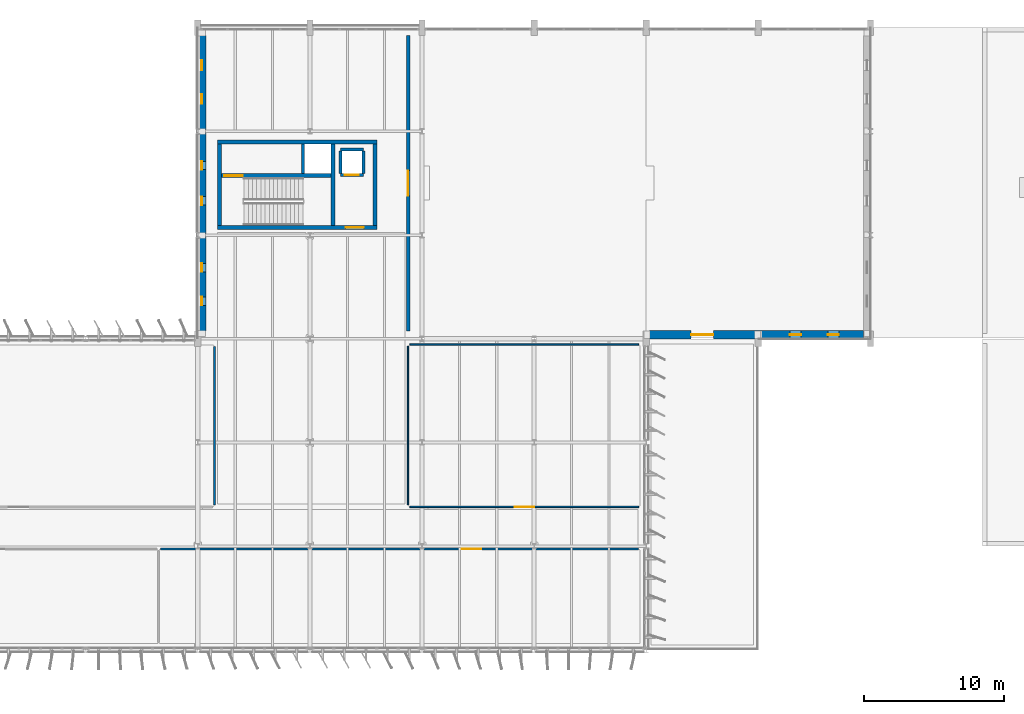
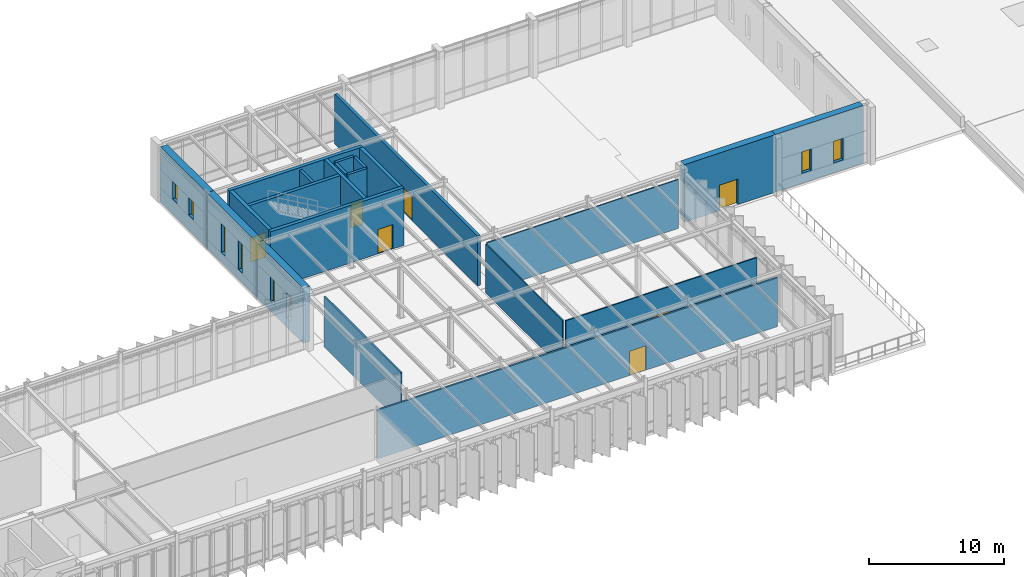
# One storey, part 36 of 48: 22 walls, 8 windows, 7 doors, 15 openings.
"""IFC4 building model written with IfcOpenShell, lengths in metres."""

from ifc_helpers import new_model, si_unit, direction, frame, frame_2d, origin, place, context, subcontext, project, spatial, rectangle, extrude, material, layer, layer_set, type_object, element, fill, save


model = new_model("IFC4")

# Units and contexts
model_context = context("Model", 3, precision=1e-05, world=origin(), true_north=direction((0.0, 1.0)))
body_context = subcontext(model_context, "Body", "Model", "MODEL_VIEW")
ifc_project = project(units=[si_unit("LENGTHUNIT", "METRE"), si_unit("AREAUNIT", "SQUARE_METRE"), si_unit("VOLUMEUNIT", "CUBIC_METRE"), si_unit("PLANEANGLEUNIT", "RADIAN"), si_unit("MASSUNIT", "GRAM", prefix="KILO")], contexts=[model_context])

# Site, building, storey
site_placement = place(None, origin())
site = spatial("IfcSite", under=ifc_project, at=site_placement, CompositionType="ELEMENT")
building_placement = place(site_placement, origin())
building = spatial("IfcBuilding", under=site, at=building_placement, Name="Valkorina Park Police Headquarters", CompositionType="ELEMENT")
storey_placement = place(building_placement, frame((0.0, 0.0, 18.10009765625)))
storey = spatial("IfcBuildingStorey", under=building, at=storey_placement, Name="L05", CompositionType="ELEMENT", Elevation=18.10009765625)

# Wall
ifc_material_1 = material(Name="Acoustic mineral board")
ifc_layer_1 = layer(ifc_material_1, 0.14990234375)
ifc_layer_set_1 = layer_set([ifc_layer_1], Name="Acoustic mineral board")
wall_type_1 = type_object("IfcWallType", Name="WL-ACOUST-150-EI30", PredefinedType="PARTITIONING", material=ifc_layer_set_1)
wall_1_placement = place(storey_placement, frame((82.0, 47.340087890625, 0.0), z_axis=(0.0, 0.0, 1.0), x_axis=(0.0, 1.0, 0.0)))
element("IfcWall", 1, at=wall_1_placement, inside=storey, type_object=wall_type_1, Name="L05 Interior Partition 0238 (L05-CYB-06)", PredefinedType="PARTITIONING", context=body_context, shape_type="SweptSolid", body=[
    extrude(rectangle(XDim=11.31982421875, YDim=0.14990234375, at=frame_2d((5.659912109375, 0.0))), origin(), (0.0, 0.0, 1.0), 4.510009765625),
])

# Wall, opening, door
wall_2_placement = place(storey_placement, frame((78.139892578125, 44.199951171875, 0.0), z_axis=(0.0, 0.0, 1.0), x_axis=(1.0, 0.0, 0.0)))
wall_2 = element("IfcWall", 2, at=wall_2_placement, inside=storey, type_object=wall_type_1, Name="L05 Interior Partition 0239 (L05-CYB-07)", PredefinedType="PARTITIONING", context=body_context, shape_type="SweptSolid", body=[
    extrude(rectangle(XDim=34.1201171875, YDim=0.14990234375, at=frame_2d((17.06005859375, 0.0))), origin(), (0.0, 0.0, 1.0), 4.39990234375),
])
opening_1_placement = place(wall_2_placement, frame((21.47802734375, 0.0, 0.0)))
opening_1 = element("IfcOpeningElement", 3, at=opening_1_placement, cuts=wall_2, Name="Opening ID-07", PredefinedType="OPENING", context=body_context, shape_type="SweptSolid", body=[
    extrude(rectangle(XDim=1.39990234375, YDim=2.199951171875, at=frame_2d((0.699951171875, 1.10009765625))), frame((0.0, 0.0849609375, 0.0), z_axis=(0.0, -1.0, 0.0), x_axis=(1.0, 0.0, 0.0)), (0.0, 0.0, 1.0), 0.169921875),
])
ifc_material_2 = material(Name="Thermally broken aluminium AW-6060", Category="aluminium")
ifc_layer_2 = layer(ifc_material_2, 0.050048828125)
ifc_layer_set_2 = layer_set([ifc_layer_2], Name="Thermally broken aluminium AW-6060")
door_type_1 = type_object("IfcDoorType", Name="DR-INT-CONF-1400x2200", OperationType="NOTDEFINED", PredefinedType="DOOR", material=ifc_layer_set_2)
door_1_placement = place(opening_1_placement, origin())
door_1 = element("IfcDoor", 4, at=door_1_placement, inside=storey, type_object=door_type_1, Name="Door D-L05-I114 (L05-CYB-07)", OperationType="SINGLE_SWING_LEFT", OverallHeight=2.199951171875, OverallWidth=1.39990234375, PredefinedType="DOOR", context=body_context, shape_type="SweptSolid", body=[
    extrude(rectangle(XDim=1.39990234375, YDim=2.199951171875, at=frame_2d((0.699951171875, 1.10009765625))), frame((0.0, 0.02490234375, 0.0), z_axis=(0.0, -1.0, 0.0), x_axis=(1.0, 0.0, 0.0)), (0.0, 0.0, 1.0), 0.050048828125),
])
fill(opening_1, door_1)

ifc_material_3 = material(Name="Autoclaved aerated concrete masonry", Category="masonry")
ifc_layer_3 = layer(ifc_material_3, 0.219970703125)
ifc_layer_set_3 = layer_set([ifc_layer_3], Name="Autoclaved aerated concrete masonry")
wall_type_2 = type_object("IfcWallType", Name="WL-CHASE-220-EI60", PredefinedType="PLUMBINGWALL", material=ifc_layer_set_3)
wall_3_placement = place(storey_placement, frame((90.989990234375, 70.889892578125, 0.0), z_axis=(0.0, 0.0, 1.0), x_axis=(1.0, 0.0, 0.0)))
wall_3 = element("IfcWall", 5, at=wall_3_placement, inside=storey, type_object=wall_type_2, Name="Lift LF-08 L05 Shaft Front Wall", PredefinedType="PLUMBINGWALL", context=body_context, shape_type="SweptSolid", body=[
    extrude(rectangle(XDim=1.6201171875, YDim=0.219970703125, at=frame_2d((0.81005859375, 0.0))), origin(), (0.0, 0.0, 1.0), 4.97998046875),
])
opening_2_placement = place(wall_3_placement, frame((0.31005859375, 0.0, 0.0)))
opening_2 = element("IfcOpeningElement", 6, at=opening_2_placement, cuts=wall_3, Name="Opening LD-02", PredefinedType="OPENING", context=body_context, shape_type="SweptSolid", body=[
    extrude(rectangle(XDim=1.0, YDim=2.199951171875, at=frame_2d((0.5, 1.10009765625))), frame((0.0, 0.1201171875, 0.0), z_axis=(0.0, -1.0, 0.0), x_axis=(1.0, 0.0, 0.0)), (0.0, 0.0, 1.0), 0.239990234375),
])
ifc_material_4 = material(Name="Stainless steel EN 1.4404", Category="steel")
ifc_layer_4 = layer(ifc_material_4, 0.050048828125)
ifc_layer_set_4 = layer_set([ifc_layer_4], Name="Stainless steel EN 1.4404")
door_type_2 = type_object("IfcDoorType", Name="DR-LIFT-PAX-1000x2200", OperationType="NOTDEFINED", PredefinedType="DOOR", material=ifc_layer_set_4)
door_2_placement = place(opening_2_placement, origin())
door_2 = element("IfcDoor", 7, at=door_2_placement, inside=storey, type_object=door_type_2, Name="Lift Landing Door LF-08-L05", OperationType="DOUBLE_DOOR_SLIDING", OverallHeight=2.199951171875, OverallWidth=1.0, PredefinedType="DOOR", context=body_context, shape_type="SweptSolid", body=[
    extrude(rectangle(XDim=1.0, YDim=2.199951171875, at=frame_2d((0.5, 1.10009765625))), frame((0.0, 0.02490234375, 0.0), z_axis=(0.0, -1.0, 0.0), x_axis=(1.0, 0.0, 0.0)), (0.0, 0.0, 1.0), 0.050048828125),
])
fill(opening_2, door_2)

# Walls
wall_4_placement = place(storey_placement, frame((90.989990234375, 72.7099609375, 0.0), z_axis=(0.0, 0.0, 1.0), x_axis=(1.0, 0.0, 0.0)))
element("IfcWall", 8, at=wall_4_placement, inside=storey, type_object=wall_type_2, Name="Lift LF-08 L05 Shaft Back Wall", PredefinedType="PLUMBINGWALL", context=body_context, shape_type="SweptSolid", body=[
    extrude(rectangle(XDim=1.6201171875, YDim=0.219970703125, at=frame_2d((0.81005859375, 0.0))), origin(), (0.0, 0.0, 1.0), 4.97998046875),
])
for number, where, z_axis, x_axis, name in (
    (9, (90.989990234375, 71.0, 0.0), (0.0, 0.0, 1.0), (0.0, 1.0, 0.0), "Lift LF-08 L05 Shaft Side Wall W"),
    (10, (92.610107421875, 71.0, 0.0), (0.0, 0.0, 1.0), (0.0, 1.0, 0.0), "Lift LF-08 L05 Shaft Side Wall E"),
):
    element("IfcWall", number, at=place(storey_placement, frame(where, z_axis=z_axis, x_axis=x_axis)), inside=storey, type_object=wall_type_2, Name=name, PredefinedType="PLUMBINGWALL", context=body_context, shape_type="SweptSolid", body=[
        extrude(rectangle(XDim=1.60009765625, YDim=0.219970703125, at=frame_2d((0.800048828125, 0.0))), origin(), (0.0, 0.0, 1.0), 4.97998046875),
    ])
wall_5_placement = place(storey_placement, frame((88.2900390625, 70.97998046875, 0.0), z_axis=(0.0, 0.0, 1.0), x_axis=(0.0, 1.0, 0.0)))
element("IfcWall", 11, at=wall_5_placement, inside=storey, type_object=wall_type_2, Name="Core C6 L05 Riser Shaft West Wall", PredefinedType="PLUMBINGWALL", context=body_context, shape_type="SweptSolid", body=[
    extrude(rectangle(XDim=2.1201171875, YDim=0.219970703125, at=frame_2d((1.06005859375, 0.0))), origin(), (0.0, 0.0, 1.0), 4.97998046875),
])

# Wall, opening, door
ifc_material_5 = material(Name="Concrete C40/50", Category="concrete")
ifc_layer_5 = layer(ifc_material_5, 0.300048828125)
ifc_layer_set_5 = layer_set([ifc_layer_5], Name="Concrete C40/50")
wall_type_3 = type_object("IfcWallType", Name="WL-CORE-300-REI120", PredefinedType="SHEAR", material=ifc_layer_set_5)
wall_6_placement = place(storey_placement, frame((82.199951171875, 67.14990234375, 0.0), z_axis=(0.0, 0.0, 1.0), x_axis=(1.0, 0.0, 0.0)))
wall_6 = element("IfcWall", 12, at=wall_6_placement, inside=storey, type_object=wall_type_3, Name="Core C6 L05 Shear Wall S", PredefinedType="SHEAR", context=body_context, shape_type="SweptSolid", body=[
    extrude(rectangle(XDim=11.400146484375, YDim=0.300048828125, at=frame_2d((5.7001953125, 0.0))), origin(), (0.0, 0.0, 1.0), 5.19482421875),
])
opening_3_placement = place(wall_6_placement, frame((9.14990234375, 0.0, 0.0)))
opening_3 = element("IfcOpeningElement", 13, at=opening_3_placement, cuts=wall_6, Name="Opening FD-03", PredefinedType="OPENING", context=body_context, shape_type="SweptSolid", body=[
    extrude(rectangle(XDim=1.300048828125, YDim=2.199951171875, at=frame_2d((0.64990234375, 1.10009765625))), frame((0.0, 0.16015625, 0.0), z_axis=(0.0, -1.0, 0.0), x_axis=(1.0, 0.0, 0.0)), (0.0, 0.0, 1.0), 0.320068359375),
])
ifc_material_6 = material(Name="Galvanized steel door leaf", Category="steel")
ifc_layer_6 = layer(ifc_material_6, 0.050048828125)
ifc_layer_set_6 = layer_set([ifc_layer_6], Name="Galvanized steel door leaf")
door_type_3 = type_object("IfcDoorType", Name="DR-FIRE-STAIR-1300x2200", OperationType="NOTDEFINED", PredefinedType="DOOR", material=ifc_layer_set_6)
door_3_placement = place(opening_3_placement, origin())
door_3 = element("IfcDoor", 14, at=door_3_placement, inside=storey, type_object=door_type_3, Name="Door D-L05-LBY-C6 (Core C6 Lobby Fire Door)", OperationType="SINGLE_SWING_LEFT", OverallHeight=2.199951171875, OverallWidth=1.300048828125, PredefinedType="DOOR", context=body_context, shape_type="SweptSolid", body=[
    extrude(rectangle(XDim=1.300048828125, YDim=2.199951171875, at=frame_2d((0.64990234375, 1.10009765625))), frame((0.0, 0.02490234375, 0.0), z_axis=(0.0, -1.0, 0.0), x_axis=(1.0, 0.0, 0.0)), (0.0, 0.0, 1.0), 0.050048828125),
])
fill(opening_3, door_3)

# Walls
wall_7_placement = place(storey_placement, frame((82.199951171875, 73.25, 0.0), z_axis=(0.0, 0.0, 1.0), x_axis=(1.0, 0.0, 0.0)))
element("IfcWall", 15, at=wall_7_placement, inside=storey, type_object=wall_type_3, Name="Core C6 L05 Shear Wall N", PredefinedType="SHEAR", context=body_context, shape_type="SweptSolid", body=[
    extrude(rectangle(XDim=11.400146484375, YDim=0.300048828125, at=frame_2d((5.7001953125, 0.0))), origin(), (0.0, 0.0, 1.0), 5.19482421875),
])
for number, where, z_axis, x_axis, name in (
    (16, (82.35009765625, 67.300048828125, 0.0), (0.0, 0.0, 1.0), (0.0, 1.0, 0.0), "Core C6 L05 Shear Wall W"),
    (17, (93.449951171875, 67.300048828125, 0.0), (0.0, 0.0, 1.0), (0.0, 1.0, 0.0), "Core C6 L05 Shear Wall E"),
):
    element("IfcWall", number, at=place(storey_placement, frame(where, z_axis=z_axis, x_axis=x_axis)), inside=storey, type_object=wall_type_3, Name=name, PredefinedType="SHEAR", context=body_context, shape_type="SweptSolid", body=[
        extrude(rectangle(XDim=5.800048828125, YDim=0.300048828125, at=frame_2d((2.89990234375, 0.0))), origin(), (0.0, 0.0, 1.0), 5.19482421875),
    ])

# Wall, opening, door
ifc_layer_7 = layer(ifc_material_5, 0.25)
ifc_layer_set_7 = layer_set([ifc_layer_7], Name="Concrete C40/50")
wall_type_4 = type_object("IfcWallType", Name="WL-CUST-250-REI120", PredefinedType="SOLIDWALL", material=ifc_layer_set_7)
wall_8_placement = place(storey_placement, frame((95.800048828125, 59.739990234375, 0.0), z_axis=(0.0, 0.0, 1.0), x_axis=(0.0, 1.0, 0.0)))
wall_8 = element("IfcWall", 18, at=wall_8_placement, inside=storey, type_object=wall_type_4, Name="L05 Interior Partition 0224 (L05-CMD-HALL)", PredefinedType="SOLIDWALL", context=body_context, shape_type="SweptSolid", body=[
    extrude(rectangle(XDim=21.1201171875, YDim=0.25, at=frame_2d((10.56005859375, 0.0))), origin(), (0.0, 0.0, 1.0), 4.510009765625),
])
opening_4_placement = place(wall_8_placement, frame((9.659912109375, 0.0, 0.0)))
opening_4 = element("IfcOpeningElement", 19, at=opening_4_placement, cuts=wall_8, Name="Opening FD-05", PredefinedType="OPENING", context=body_context, shape_type="SweptSolid", body=[
    extrude(rectangle(XDim=1.800048828125, YDim=2.199951171875, at=frame_2d((0.89990234375, 1.10009765625))), frame((0.0, 0.135009765625, 0.0), z_axis=(0.0, -1.0, 0.0), x_axis=(1.0, 0.0, 0.0)), (0.0, 0.0, 1.0), 0.27001953125),
])
ifc_layer_8 = layer(ifc_material_6, 0.050048828125)
ifc_layer_set_8 = layer_set([ifc_layer_8], Name="Galvanized steel door leaf")
door_type_4 = type_object("IfcDoorType", Name="DR-FIRE-CORR-1800x2200", OperationType="NOTDEFINED", PredefinedType="DOOR", material=ifc_layer_set_8)
door_4_placement = place(opening_4_placement, origin())
door_4 = element("IfcDoor", 20, at=door_4_placement, inside=storey, type_object=door_type_4, Name="Door D-L05-I105 (L05-CMD-HALL)", OperationType="DOUBLE_DOOR_SINGLE_SWING", OverallHeight=2.199951171875, OverallWidth=1.800048828125, PredefinedType="DOOR", context=body_context, shape_type="SweptSolid", body=[
    extrude(rectangle(XDim=1.800048828125, YDim=2.199951171875, at=frame_2d((0.89990234375, 1.10009765625))), frame((0.0, 0.02490234375, 0.0), z_axis=(0.0, -1.0, 0.0), x_axis=(1.0, 0.0, 0.0)), (0.0, 0.0, 1.0), 0.050048828125),
])
fill(opening_4, door_4)

# Wall, openings, windows
ifc_material_7 = material(Name="Concrete C35/45", Category="concrete")
ifc_layer_9 = layer(ifc_material_7, 0.580078125)
ifc_layer_set_9 = layer_set([ifc_layer_9], Name="Concrete C35/45")
wall_type_5 = type_object("IfcWallType", Name="WL-EXT-BOARD-580", PredefinedType="STANDARD", material=ifc_layer_set_9)
wall_9_placement = place(storey_placement, frame((81.090087890625, 59.760009765625, 0.0), z_axis=(0.0, 0.0, 1.0), x_axis=(0.0, 1.0, 0.0)))
wall_9 = element("IfcWall", 21, at=wall_9_placement, inside=storey, type_object=wall_type_5, Name="L05 Architectural Concrete Exterior Wall 0260", PredefinedType="STANDARD", context=body_context, shape_type="SweptSolid", body=[
    extrude(rectangle(XDim=6.840087890625, YDim=0.580078125, at=frame_2d((3.419921875, 0.0))), origin(), (0.0, 0.0, 1.0), 4.97998046875),
])
opening_5_placement = place(wall_9_placement, frame((1.827880859375, 0.0, 0.89990234375)))
opening_5 = element("IfcOpeningElement", 22, at=opening_5_placement, cuts=wall_9, Name="Opening WN-05", PredefinedType="OPENING", context=body_context, shape_type="SweptSolid", body=[
    extrude(rectangle(XDim=0.60009765625, YDim=2.199951171875, at=frame_2d((0.300048828125, 1.10009765625))), frame((0.0, 0.300048828125, 0.0), z_axis=(0.0, -1.0, 0.0), x_axis=(1.0, 0.0, 0.0)), (0.0, 0.0, 1.0), 0.60009765625),
])
opening_6_placement = place(wall_9_placement, frame((4.221923828125, 0.0, 0.89990234375)))
opening_6 = element("IfcOpeningElement", 23, at=opening_6_placement, cuts=wall_9, Name="Opening WN-05", PredefinedType="OPENING", context=body_context, shape_type="SweptSolid", body=[
    extrude(rectangle(XDim=0.60009765625, YDim=2.199951171875, at=frame_2d((0.300048828125, 1.10009765625))), frame((0.0, 0.300048828125, 0.0), z_axis=(0.0, -1.0, 0.0), x_axis=(1.0, 0.0, 0.0)), (0.0, 0.0, 1.0), 0.60009765625),
])
ifc_material_8 = material(Name="Triple low-E insulated glazing", Category="glass")
ifc_layer_10 = layer(ifc_material_8, 0.06005859375)
ifc_layer_set_10 = layer_set([ifc_layer_10], Name="Triple low-E insulated glazing")
window_type_1 = type_object("IfcWindowType", Name="WN-SLOT-600x2200", PartitioningType="SINGLE_PANEL", PredefinedType="WINDOW", material=ifc_layer_set_10)
window_1_placement = place(opening_5_placement, origin())
window_1 = element("IfcWindow", 24, at=window_1_placement, inside=storey, type_object=window_type_1, Name="Window L05-0440", OverallHeight=2.199951171875, OverallWidth=0.60009765625, PartitioningType="SINGLE_PANEL", PredefinedType="WINDOW", context=body_context, shape_type="SweptSolid", body=[
    extrude(rectangle(XDim=0.60009765625, YDim=2.199951171875, at=frame_2d((0.300048828125, 1.10009765625))), frame((0.0, 0.030029296875, 0.0), z_axis=(0.0, -1.0, 0.0), x_axis=(1.0, 0.0, 0.0)), (0.0, 0.0, 1.0), 0.06005859375),
])
fill(opening_5, window_1)
window_2_placement = place(opening_6_placement, origin())
window_2 = element("IfcWindow", 25, at=window_2_placement, inside=storey, type_object=window_type_1, Name="Window L05-0441", OverallHeight=2.199951171875, OverallWidth=0.60009765625, PartitioningType="SINGLE_PANEL", PredefinedType="WINDOW", context=body_context, shape_type="SweptSolid", body=[
    extrude(rectangle(XDim=0.60009765625, YDim=2.199951171875, at=frame_2d((0.300048828125, 1.10009765625))), frame((0.0, 0.030029296875, 0.0), z_axis=(0.0, -1.0, 0.0), x_axis=(1.0, 0.0, 0.0)), (0.0, 0.0, 1.0), 0.06005859375),
])
fill(opening_6, window_2)

wall_10_placement = place(storey_placement, frame((81.090087890625, 66.60009765625, 0.0), z_axis=(0.0, 0.0, 1.0), x_axis=(0.0, 1.0, 0.0)))
wall_10 = element("IfcWall", 26, at=wall_10_placement, inside=storey, type_object=wall_type_5, Name="L05 Architectural Concrete Exterior Wall 0261", PredefinedType="STANDARD", context=body_context, shape_type="SweptSolid", body=[
    extrude(rectangle(XDim=7.39990234375, YDim=0.580078125, at=frame_2d((3.699951171875, 0.0))), origin(), (0.0, 0.0, 1.0), 4.97998046875),
])
opening_7_placement = place(wall_10_placement, frame((2.136474609375, 0.0, 0.89990234375)))
opening_7 = element("IfcOpeningElement", 27, at=opening_7_placement, cuts=wall_10, Name="Opening WN-06", PredefinedType="OPENING", context=body_context, shape_type="SweptSolid", body=[
    extrude(rectangle(XDim=0.60009765625, YDim=2.60009765625, at=frame_2d((0.300048828125, 1.300048828125))), frame((0.0, 0.300048828125, 0.0), z_axis=(0.0, -1.0, 0.0), x_axis=(1.0, 0.0, 0.0)), (0.0, 0.0, 1.0), 0.60009765625),
])
opening_8_placement = place(wall_10_placement, frame((4.66357421875, 0.0, 0.89990234375)))
opening_8 = element("IfcOpeningElement", 28, at=opening_8_placement, cuts=wall_10, Name="Opening WN-06", PredefinedType="OPENING", context=body_context, shape_type="SweptSolid", body=[
    extrude(rectangle(XDim=0.60009765625, YDim=2.60009765625, at=frame_2d((0.300048828125, 1.300048828125))), frame((0.0, 0.300048828125, 0.0), z_axis=(0.0, -1.0, 0.0), x_axis=(1.0, 0.0, 0.0)), (0.0, 0.0, 1.0), 0.60009765625),
])
ifc_layer_11 = layer(ifc_material_8, 0.06005859375)
ifc_layer_set_11 = layer_set([ifc_layer_11], Name="Triple low-E insulated glazing")
window_type_2 = type_object("IfcWindowType", Name="WN-SLOT-600x2600", PartitioningType="SINGLE_PANEL", PredefinedType="WINDOW", material=ifc_layer_set_11)
window_3_placement = place(opening_7_placement, origin())
window_3 = element("IfcWindow", 29, at=window_3_placement, inside=storey, type_object=window_type_2, Name="Window L05-0442", OverallHeight=2.60009765625, OverallWidth=0.60009765625, PartitioningType="SINGLE_PANEL", PredefinedType="WINDOW", context=body_context, shape_type="SweptSolid", body=[
    extrude(rectangle(XDim=0.60009765625, YDim=2.60009765625, at=frame_2d((0.300048828125, 1.300048828125))), frame((0.0, 0.030029296875, 0.0), z_axis=(0.0, -1.0, 0.0), x_axis=(1.0, 0.0, 0.0)), (0.0, 0.0, 1.0), 0.06005859375),
])
fill(opening_7, window_3)
window_4_placement = place(opening_8_placement, origin())
window_4 = element("IfcWindow", 30, at=window_4_placement, inside=storey, type_object=window_type_2, Name="Window L05-0443", OverallHeight=2.60009765625, OverallWidth=0.60009765625, PartitioningType="SINGLE_PANEL", PredefinedType="WINDOW", context=body_context, shape_type="SweptSolid", body=[
    extrude(rectangle(XDim=0.60009765625, YDim=2.60009765625, at=frame_2d((0.300048828125, 1.300048828125))), frame((0.0, 0.030029296875, 0.0), z_axis=(0.0, -1.0, 0.0), x_axis=(1.0, 0.0, 0.0)), (0.0, 0.0, 1.0), 0.06005859375),
])
fill(opening_8, window_4)

wall_11_placement = place(storey_placement, frame((81.090087890625, 74.0, 0.0), z_axis=(0.0, 0.0, 1.0), x_axis=(0.0, 1.0, 0.0)))
wall_11 = element("IfcWall", 31, at=wall_11_placement, inside=storey, type_object=wall_type_5, Name="L05 Architectural Concrete Exterior Wall 0262", PredefinedType="STANDARD", context=body_context, shape_type="SweptSolid", body=[
    extrude(rectangle(XDim=6.840087890625, YDim=0.580078125, at=frame_2d((3.419921875, 0.0))), origin(), (0.0, 0.0, 1.0), 4.97998046875),
])
opening_9_placement = place(wall_11_placement, frame((1.968017578125, 0.0, 1.35009765625)))
opening_9 = element("IfcOpeningElement", 32, at=opening_9_placement, cuts=wall_11, Name="Opening WN-07", PredefinedType="OPENING", context=body_context, shape_type="SweptSolid", body=[
    extrude(rectangle(XDim=0.699951171875, YDim=1.60009765625, at=frame_2d((0.35009765625, 0.800048828125))), frame((0.0, 0.300048828125, 0.0), z_axis=(0.0, -1.0, 0.0), x_axis=(1.0, 0.0, 0.0)), (0.0, 0.0, 1.0), 0.60009765625),
])
opening_10_placement = place(wall_11_placement, frame((4.362060546875, 0.0, 1.35009765625)))
opening_10 = element("IfcOpeningElement", 33, at=opening_10_placement, cuts=wall_11, Name="Opening WN-07", PredefinedType="OPENING", context=body_context, shape_type="SweptSolid", body=[
    extrude(rectangle(XDim=0.699951171875, YDim=1.60009765625, at=frame_2d((0.35009765625, 0.800048828125))), frame((0.0, 0.300048828125, 0.0), z_axis=(0.0, -1.0, 0.0), x_axis=(1.0, 0.0, 0.0)), (0.0, 0.0, 1.0), 0.60009765625),
])
ifc_layer_12 = layer(ifc_material_8, 0.06005859375)
ifc_layer_set_12 = layer_set([ifc_layer_12], Name="Triple low-E insulated glazing")
window_type_3 = type_object("IfcWindowType", Name="WN-SLOT-700x1600", PartitioningType="SINGLE_PANEL", PredefinedType="WINDOW", material=ifc_layer_set_12)
window_5_placement = place(opening_9_placement, origin())
window_5 = element("IfcWindow", 34, at=window_5_placement, inside=storey, type_object=window_type_3, Name="Window L05-0444", OverallHeight=1.60009765625, OverallWidth=0.699951171875, PartitioningType="SINGLE_PANEL", PredefinedType="WINDOW", context=body_context, shape_type="SweptSolid", body=[
    extrude(rectangle(XDim=0.699951171875, YDim=1.60009765625, at=frame_2d((0.35009765625, 0.800048828125))), frame((0.0, 0.030029296875, 0.0), z_axis=(0.0, -1.0, 0.0), x_axis=(1.0, 0.0, 0.0)), (0.0, 0.0, 1.0), 0.06005859375),
])
fill(opening_9, window_5)
window_6_placement = place(opening_10_placement, origin())
window_6 = element("IfcWindow", 35, at=window_6_placement, inside=storey, type_object=window_type_3, Name="Window L05-0445", OverallHeight=1.60009765625, OverallWidth=0.699951171875, PartitioningType="SINGLE_PANEL", PredefinedType="WINDOW", context=body_context, shape_type="SweptSolid", body=[
    extrude(rectangle(XDim=0.699951171875, YDim=1.60009765625, at=frame_2d((0.35009765625, 0.800048828125))), frame((0.0, 0.030029296875, 0.0), z_axis=(0.0, -1.0, 0.0), x_axis=(1.0, 0.0, 0.0)), (0.0, 0.0, 1.0), 0.06005859375),
])
fill(opening_10, window_6)

wall_12_placement = place(storey_placement, frame((128.300048828125, 59.489990234375, 0.0), z_axis=(0.0, 0.0, 1.0), x_axis=(-1.0, 0.0, 0.0)))
wall_12 = element("IfcWall", 36, at=wall_12_placement, inside=storey, type_object=wall_type_5, Name="L05 Architectural Concrete Exterior Wall 0266", PredefinedType="STANDARD", context=body_context, shape_type="SweptSolid", body=[
    extrude(rectangle(XDim=7.5, YDim=0.580078125, at=frame_2d((3.75, 0.0))), origin(), (0.0, 0.0, 1.0), 5.199951171875),
])
opening_11_placement = place(wall_12_placement, frame((1.74462890625, 0.0, 0.89990234375)))
opening_11 = element("IfcOpeningElement", 37, at=opening_11_placement, cuts=wall_12, Name="Opening WN-11", PredefinedType="OPENING", context=body_context, shape_type="SweptSolid", body=[
    extrude(rectangle(XDim=0.800048828125, YDim=1.949951171875, at=frame_2d((0.39990234375, 0.97509765625))), frame((0.0, 0.300048828125, 0.0), z_axis=(0.0, -1.0, 0.0), x_axis=(1.0, 0.0, 0.0)), (0.0, 0.0, 1.0), 0.60009765625),
])
opening_12_placement = place(wall_12_placement, frame((4.455322265625, 0.0, 0.89990234375)))
opening_12 = element("IfcOpeningElement", 38, at=opening_12_placement, cuts=wall_12, Name="Opening WN-11", PredefinedType="OPENING", context=body_context, shape_type="SweptSolid", body=[
    extrude(rectangle(XDim=0.800048828125, YDim=1.949951171875, at=frame_2d((0.39990234375, 0.97509765625))), frame((0.0, 0.300048828125, 0.0), z_axis=(0.0, -1.0, 0.0), x_axis=(1.0, 0.0, 0.0)), (0.0, 0.0, 1.0), 0.60009765625),
])
ifc_layer_13 = layer(ifc_material_8, 0.06005859375)
ifc_layer_set_13 = layer_set([ifc_layer_13], Name="Triple low-E insulated glazing")
window_type_4 = type_object("IfcWindowType", Name="WN-SLOT-800x1950", PartitioningType="SINGLE_PANEL", PredefinedType="WINDOW", material=ifc_layer_set_13)
window_7_placement = place(opening_11_placement, origin())
window_7 = element("IfcWindow", 39, at=window_7_placement, inside=storey, type_object=window_type_4, Name="Window L05-0452", OverallHeight=1.949951171875, OverallWidth=0.800048828125, PartitioningType="SINGLE_PANEL", PredefinedType="WINDOW", context=body_context, shape_type="SweptSolid", body=[
    extrude(rectangle(XDim=0.800048828125, YDim=1.949951171875, at=frame_2d((0.39990234375, 0.97509765625))), frame((0.0, 0.030029296875, 0.0), z_axis=(0.0, -1.0, 0.0), x_axis=(1.0, 0.0, 0.0)), (0.0, 0.0, 1.0), 0.06005859375),
])
fill(opening_11, window_7)
window_8_placement = place(opening_12_placement, origin())
window_8 = element("IfcWindow", 40, at=window_8_placement, inside=storey, type_object=window_type_4, Name="Window L05-0453", OverallHeight=1.949951171875, OverallWidth=0.800048828125, PartitioningType="SINGLE_PANEL", PredefinedType="WINDOW", context=body_context, shape_type="SweptSolid", body=[
    extrude(rectangle(XDim=0.800048828125, YDim=1.949951171875, at=frame_2d((0.39990234375, 0.97509765625))), frame((0.0, 0.030029296875, 0.0), z_axis=(0.0, -1.0, 0.0), x_axis=(1.0, 0.0, 0.0)), (0.0, 0.0, 1.0), 0.06005859375),
])
fill(opening_12, window_8)

# Wall, opening, door
wall_13_placement = place(storey_placement, frame((120.800048828125, 59.489990234375, 0.0), z_axis=(0.0, 0.0, 1.0), x_axis=(-1.0, 0.0, 0.0)))
wall_13 = element("IfcWall", 41, at=wall_13_placement, inside=storey, type_object=wall_type_5, Name="L05 Architectural Concrete Exterior Wall 0267", PredefinedType="STANDARD", context=body_context, shape_type="SweptSolid", body=[
    extrude(rectangle(XDim=7.76513671875, YDim=0.580078125, at=frame_2d((3.882568359375, 0.0))), origin(), (0.0, 0.0, 1.0), 5.199951171875),
])
opening_13_placement = place(wall_13_placement, frame((3.199951171875, 0.0, 0.0)))
opening_13 = element("IfcOpeningElement", 42, at=opening_13_placement, cuts=wall_13, Name="Opening ED-05", PredefinedType="OPENING", context=body_context, shape_type="SweptSolid", body=[
    extrude(rectangle(XDim=1.60009765625, YDim=2.300048828125, at=frame_2d((0.800048828125, 1.14990234375))), frame((0.0, 0.300048828125, 0.0), z_axis=(0.0, -1.0, 0.0), x_axis=(1.0, 0.0, 0.0)), (0.0, 0.0, 1.0), 0.60009765625),
])
ifc_layer_14 = layer(ifc_material_2, 0.050048828125)
ifc_layer_set_14 = layer_set([ifc_layer_14], Name="Thermally broken aluminium AW-6060")
door_type_5 = type_object("IfcDoorType", Name="DR-EXT-TERR-1600x2300", OperationType="NOTDEFINED", PredefinedType="DOOR", material=ifc_layer_set_14)
door_5_placement = place(opening_13_placement, origin())
door_5 = element("IfcDoor", 43, at=door_5_placement, inside=storey, type_object=door_type_5, Name="Door D-L05-022 (TERR-L05-EAST Terrace Door)", OperationType="DOUBLE_DOOR_SINGLE_SWING", OverallHeight=2.300048828125, OverallWidth=1.60009765625, PredefinedType="DOOR", context=body_context, shape_type="SweptSolid", body=[
    extrude(rectangle(XDim=1.60009765625, YDim=2.300048828125, at=frame_2d((0.800048828125, 1.14990234375))), frame((0.0, 0.02490234375, 0.0), z_axis=(0.0, -1.0, 0.0), x_axis=(1.0, 0.0, 0.0)), (0.0, 0.0, 1.0), 0.050048828125),
])
fill(opening_13, door_5)

ifc_material_9 = material(Name="Gypsum plasterboard")
ifc_layer_15 = layer(ifc_material_9, 0.10009765625)
ifc_layer_set_15 = layer_set([ifc_layer_15], Name="Gypsum plasterboard")
wall_type_6 = type_object("IfcWallType", Name="WL-PART-100", PredefinedType="PARTITIONING", material=ifc_layer_set_15)
wall_14_placement = place(storey_placement, frame((95.93994140625, 47.199951171875, 0.0), z_axis=(0.0, 0.0, 1.0), x_axis=(1.0, 0.0, 0.0)))
wall_14 = element("IfcWall", 44, at=wall_14_placement, inside=storey, type_object=wall_type_6, Name="L05 Interior Partition 0240 (L05-CYB-08)", PredefinedType="PARTITIONING", context=body_context, shape_type="SweptSolid", body=[
    extrude(rectangle(XDim=16.320068359375, YDim=0.10009765625, at=frame_2d((8.16015625, 0.0))), origin(), (0.0, 0.0, 1.0), 4.39990234375),
])
opening_14_placement = place(wall_14_placement, frame((7.4599609375, 0.0, 0.0)))
opening_14 = element("IfcOpeningElement", 45, at=opening_14_placement, cuts=wall_14, Name="Opening ID-07", PredefinedType="OPENING", context=body_context, shape_type="SweptSolid", body=[
    extrude(rectangle(XDim=1.39990234375, YDim=2.199951171875, at=frame_2d((0.699951171875, 1.10009765625))), frame((0.0, 0.06005859375, 0.0), z_axis=(0.0, -1.0, 0.0), x_axis=(1.0, 0.0, 0.0)), (0.0, 0.0, 1.0), 0.1201171875),
])
door_6_placement = place(opening_14_placement, origin())
door_6 = element("IfcDoor", 46, at=door_6_placement, inside=storey, type_object=door_type_1, Name="Door D-L05-I115 (L05-CYB-08)", OperationType="SINGLE_SWING_RIGHT", OverallHeight=2.199951171875, OverallWidth=1.39990234375, PredefinedType="DOOR", context=body_context, shape_type="SweptSolid", body=[
    extrude(rectangle(XDim=1.39990234375, YDim=2.199951171875, at=frame_2d((0.699951171875, 1.10009765625))), frame((0.0, 0.02490234375, 0.0), z_axis=(0.0, -1.0, 0.0), x_axis=(1.0, 0.0, 0.0)), (0.0, 0.0, 1.0), 0.050048828125),
])
fill(opening_14, door_6)

# Walls
wall_15_placement = place(storey_placement, frame((95.93994140625, 58.800048828125, 0.0), z_axis=(0.0, 0.0, 1.0), x_axis=(1.0, 0.0, 0.0)))
element("IfcWall", 47, at=wall_15_placement, inside=storey, type_object=wall_type_6, Name="L05 Interior Partition 0241 (L05-CYB-08)", PredefinedType="PARTITIONING", context=body_context, shape_type="SweptSolid", body=[
    extrude(rectangle(XDim=16.320068359375, YDim=0.10009765625, at=frame_2d((8.16015625, 0.0))), origin(), (0.0, 0.0, 1.0), 4.39990234375),
])
wall_16_placement = place(storey_placement, frame((95.800048828125, 47.340087890625, 0.0), z_axis=(0.0, 0.0, 1.0), x_axis=(0.0, 1.0, 0.0)))
element("IfcWall", 48, at=wall_16_placement, inside=storey, type_object=wall_type_6, Name="L05 Interior Partition 0242 (L05-CYB-08)", PredefinedType="PARTITIONING", context=body_context, shape_type="SweptSolid", body=[
    extrude(rectangle(XDim=11.31982421875, YDim=0.10009765625, at=frame_2d((5.659912109375, 0.0))), origin(), (0.0, 0.0, 1.0), 4.39990234375),
])
ifc_layer_16 = layer(ifc_material_5, 0.280029296875)
ifc_layer_set_16 = layer_set([ifc_layer_16], Name="Concrete C40/50")
wall_type_7 = type_object("IfcWallType", Name="WL-STAIR-280-REI120", PredefinedType="SHEAR", material=ifc_layer_set_16)
wall_17_placement = place(storey_placement, frame((90.43994140625, 67.300048828125, 0.0), z_axis=(0.0, 0.0, 1.0), x_axis=(0.0, 1.0, 0.0)))
element("IfcWall", 49, at=wall_17_placement, inside=storey, type_object=wall_type_7, Name="Core C6 L05 Shear Wall DIV", PredefinedType="SHEAR", context=body_context, shape_type="SweptSolid", body=[
    extrude(rectangle(XDim=5.800048828125, YDim=0.280029296875, at=frame_2d((2.89990234375, 0.0))), origin(), (0.0, 0.0, 1.0), 5.19482421875),
])

# Wall, opening, door
wall_18_placement = place(storey_placement, frame((82.5, 70.840087890625, 0.0), z_axis=(0.0, 0.0, 1.0), x_axis=(1.0, 0.0, 0.0)))
wall_18 = element("IfcWall", 50, at=wall_18_placement, inside=storey, type_object=wall_type_7, Name="Core C6 L05 Shear Wall SIDE", PredefinedType="SHEAR", context=body_context, shape_type="SweptSolid", body=[
    extrude(rectangle(XDim=7.800048828125, YDim=0.280029296875, at=frame_2d((3.89990234375, 0.0))), origin(), (0.0, 0.0, 1.0), 5.19482421875),
])
opening_15_placement = place(wall_18_placement, frame((0.199951171875, 0.0, 0.0)))
opening_15 = element("IfcOpeningElement", 51, at=opening_15_placement, cuts=wall_18, Name="Opening FD-03", PredefinedType="OPENING", context=body_context, shape_type="SweptSolid", body=[
    extrude(rectangle(XDim=1.300048828125, YDim=2.199951171875, at=frame_2d((0.64990234375, 1.10009765625))), frame((0.0, 0.14990234375, 0.0), z_axis=(0.0, -1.0, 0.0), x_axis=(1.0, 0.0, 0.0)), (0.0, 0.0, 1.0), 0.300048828125),
])
door_7_placement = place(opening_15_placement, origin())
door_7 = element("IfcDoor", 52, at=door_7_placement, inside=storey, type_object=door_type_3, Name="Door D-L05-C174 (ST-06 Stair Fire Door)", OperationType="SINGLE_SWING_LEFT", OverallHeight=2.199951171875, OverallWidth=1.300048828125, PredefinedType="DOOR", context=body_context, shape_type="SweptSolid", body=[
    extrude(rectangle(XDim=1.300048828125, YDim=2.199951171875, at=frame_2d((0.64990234375, 1.10009765625))), frame((0.0, 0.02490234375, 0.0), z_axis=(0.0, -1.0, 0.0), x_axis=(1.0, 0.0, 0.0)), (0.0, 0.0, 1.0), 0.050048828125),
])
fill(opening_15, door_7)

save(model, "model.ifc")
